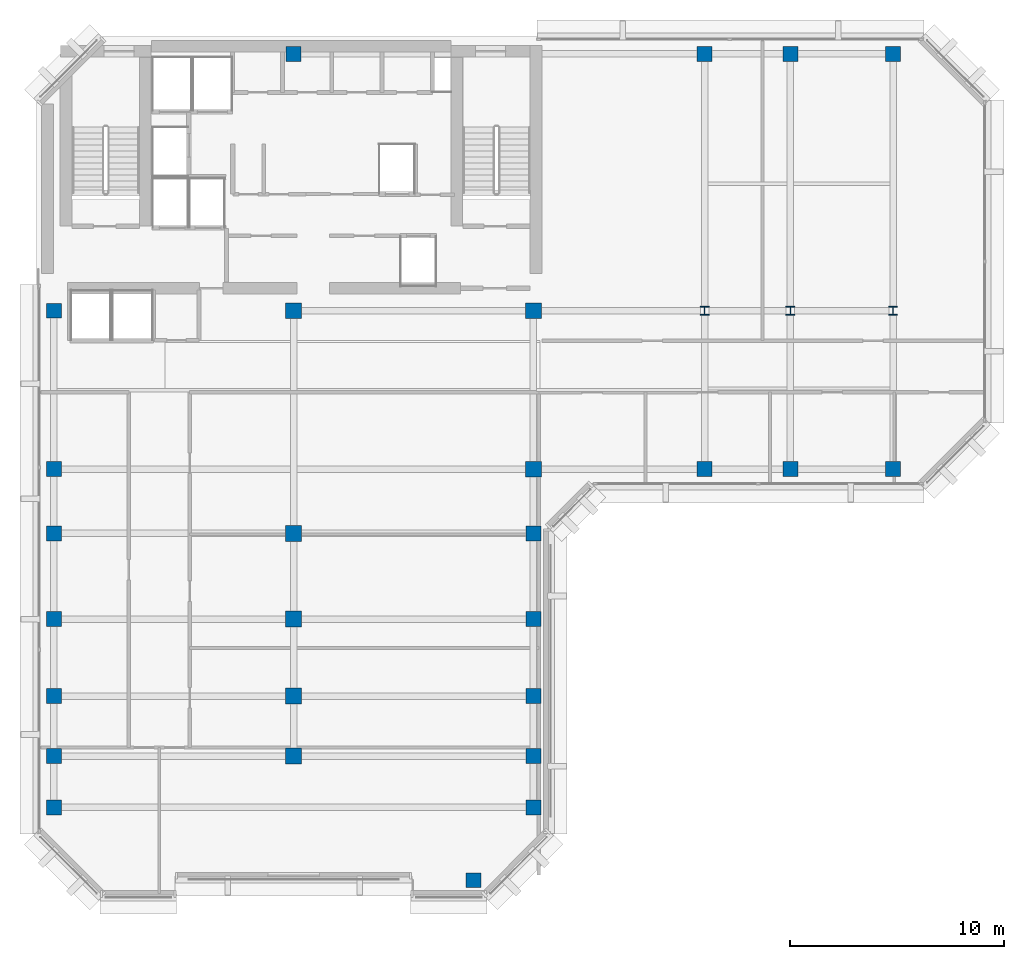
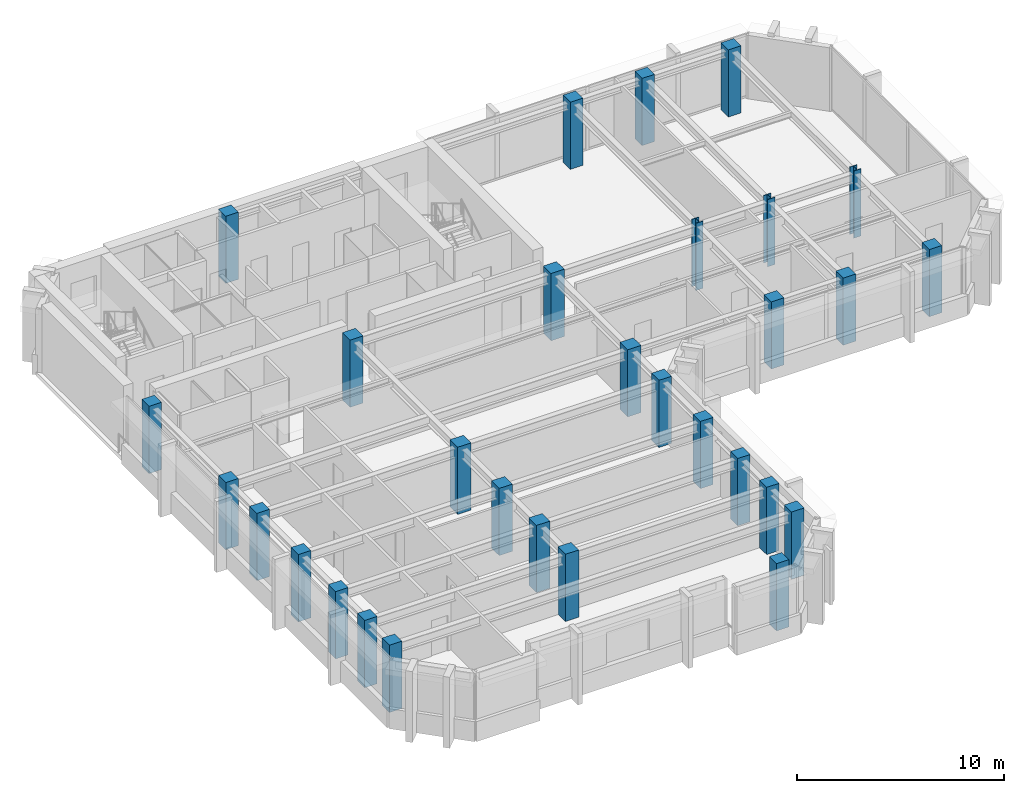
# One storey, part 1 of 12: 30 columns.
"""IFC4 building model written with IfcOpenShell, lengths in metres."""

from ifc_helpers import new_model, si_unit, direction, frame, origin, origin_2d, place, context, subcontext, project, spatial, rectangle, i_section, extrude, material, material_profile, profile_set, type_object, element, save


model = new_model("IFC4")

# Units and contexts
model_context = context("Model", 3, precision=1e-05, world=origin(), true_north=direction((0.0, 1.0)))
body_context = subcontext(model_context, "Body", "Model", "MODEL_VIEW")
ifc_project = project(units=[si_unit("LENGTHUNIT", "METRE"), si_unit("AREAUNIT", "SQUARE_METRE"), si_unit("VOLUMEUNIT", "CUBIC_METRE"), si_unit("PLANEANGLEUNIT", "RADIAN"), si_unit("MASSUNIT", "GRAM", prefix="KILO")], contexts=[model_context])

# Site, building, storey
site_placement = place(None, origin())
site = spatial("IfcSite", under=ifc_project, at=site_placement, CompositionType="ELEMENT")
building_placement = place(site_placement, origin())
building = spatial("IfcBuilding", under=site, at=building_placement, Name="Kefirva Bronze Tower", CompositionType="ELEMENT")
storey_placement = place(building_placement, frame((0.0, 0.0, 280.169921875)))
storey = spatial("IfcBuildingStorey", under=building, at=storey_placement, Name="L68", CompositionType="ELEMENT", Elevation=280.169921875)

# Columns
ifc_material_1 = material(Name="Concrete C50/60", Category="concrete")
ifc_material_profile_1 = material_profile(ifc_material_1, rectangle(XDim=0.699951171875, YDim=0.699951171875, at=origin_2d()), Name="RC 700x700")
ifc_profile_set_1 = profile_set([ifc_material_profile_1], Name="Concrete C50/60")
column_type_1 = type_object("IfcColumnType", Name="RC Column 700x700 Ext", PredefinedType="COLUMN", material=ifc_profile_set_1)
for number, where, z_axis, x_axis, name in (
    (1, (0.800048828125, 10.0, 0.0), (0.0, 0.0, 1.0), (1.0, 0.0, 0.0), "L68 Column C008_100"),
    (2, (0.800048828125, 12.39990234375, 0.0), (0.0, 0.0, 1.0), (1.0, 0.0, 0.0), "L68 Column C008_124"),
    (3, (0.800048828125, 15.199951171875, 0.0), (0.0, 0.0, 1.0), (1.0, 0.0, 0.0), "L68 Column C008_152"),
    (4, (0.800048828125, 18.800048828125, 0.0), (0.0, 0.0, 1.0), (1.0, 0.0, 0.0), "L68 Column C008_188"),
    (5, (0.800048828125, 22.800048828125, 0.0), (0.0, 0.0, 1.0), (1.0, 0.0, 0.0), "L68 Column C008_228"),
    (6, (0.800048828125, 25.800048828125, 0.0), (0.0, 0.0, 1.0), (1.0, 0.0, 0.0), "L68 Column C008_258"),
    (7, (0.800048828125, 33.199951171875, 0.0), (0.0, 0.0, 1.0), (1.0, 0.0, 0.0), "L68 Column C008_332"),
    (8, (12.0, 45.199951171875, 0.0), (0.0, 0.0, 1.0), (1.0, 0.0, 0.0), "L68 Column C120_452"),
    (9, (20.39990234375, 6.60009765625, 0.0), (0.0, 0.0, 1.0), (1.0, 0.0, 0.0), "L68 Column C204_066"),
    (10, (23.199951171875, 10.0, 0.0), (0.0, 0.0, 1.0), (1.0, 0.0, 0.0), "L68 Column C232_100"),
    (11, (23.199951171875, 12.39990234375, 0.0), (0.0, 0.0, 1.0), (1.0, 0.0, 0.0), "L68 Column C232_124"),
    (12, (23.199951171875, 15.199951171875, 0.0), (0.0, 0.0, 1.0), (1.0, 0.0, 0.0), "L68 Column C232_152"),
    (13, (23.199951171875, 18.800048828125, 0.0), (0.0, 0.0, 1.0), (1.0, 0.0, 0.0), "L68 Column C232_188"),
    (14, (23.199951171875, 22.800048828125, 0.0), (0.0, 0.0, 1.0), (1.0, 0.0, 0.0), "L68 Column C232_228"),
    (15, (31.199951171875, 25.800048828125, 0.0), (0.0, 0.0, 1.0), (1.0, 0.0, 0.0), "L68 Column C312_258"),
    (16, (31.199951171875, 45.199951171875, 0.0), (0.0, 0.0, 1.0), (1.0, 0.0, 0.0), "L68 Column C312_452"),
    (17, (35.199951171875, 25.800048828125, 0.0), (0.0, 0.0, 1.0), (1.0, 0.0, 0.0), "L68 Column C352_258"),
    (18, (35.199951171875, 45.199951171875, 0.0), (0.0, 0.0, 1.0), (1.0, 0.0, 0.0), "L68 Column C352_452"),
    (19, (40.0, 25.800048828125, 0.0), (0.0, 0.0, 1.0), (1.0, 0.0, 0.0), "L68 Column C400_258"),
    (20, (40.0, 45.199951171875, 0.0), (0.0, 0.0, 1.0), (1.0, 0.0, 0.0), "L68 Column C400_452"),
):
    element("IfcColumn", number, at=place(storey_placement, frame(where, z_axis=z_axis, x_axis=x_axis)), inside=storey, type_object=column_type_1, Name=name, PredefinedType="COLUMN", context=body_context, shape_type="SweptSolid", body=[
        extrude(rectangle(XDim=0.699951171875, YDim=0.699951171875, at=origin_2d()), origin(), (0.0, 0.0, 1.0), 3.9599609375),
    ])
ifc_material_profile_2 = material_profile(ifc_material_1, rectangle(XDim=0.739990234375, YDim=0.739990234375, at=origin_2d()), Name="RC 740x740")
ifc_profile_set_2 = profile_set([ifc_material_profile_2], Name="Concrete C50/60")
column_type_2 = type_object("IfcColumnType", Name="RC Column 740x740 Int", PredefinedType="COLUMN", material=ifc_profile_set_2)
for number, where, z_axis, x_axis, name in (
    (21, (12.0, 12.39990234375, 0.0), (0.0, 0.0, 1.0), (1.0, 0.0, 0.0), "L68 Column C120_124"),
    (22, (12.0, 15.199951171875, 0.0), (0.0, 0.0, 1.0), (1.0, 0.0, 0.0), "L68 Column C120_152"),
    (23, (12.0, 18.800048828125, 0.0), (0.0, 0.0, 1.0), (1.0, 0.0, 0.0), "L68 Column C120_188"),
    (24, (12.0, 22.800048828125, 0.0), (0.0, 0.0, 1.0), (1.0, 0.0, 0.0), "L68 Column C120_228"),
    (25, (12.0, 33.199951171875, 0.0), (0.0, 0.0, 1.0), (1.0, 0.0, 0.0), "L68 Column C120_332"),
    (26, (23.199951171875, 25.800048828125, 0.0), (0.0, 0.0, 1.0), (1.0, 0.0, 0.0), "L68 Column C232_258"),
    (27, (23.199951171875, 33.199951171875, 0.0), (0.0, 0.0, 1.0), (1.0, 0.0, 0.0), "L68 Column C232_332"),
):
    element("IfcColumn", number, at=place(storey_placement, frame(where, z_axis=z_axis, x_axis=x_axis)), inside=storey, type_object=column_type_2, Name=name, PredefinedType="COLUMN", context=body_context, shape_type="SweptSolid", body=[
        extrude(rectangle(XDim=0.739990234375, YDim=0.739990234375, at=origin_2d()), origin(), (0.0, 0.0, 1.0), 3.9599609375),
    ])
ifc_material_2 = material(Name="Steel S460", Category="steel")
ifc_material_profile_3 = material_profile(ifc_material_2, i_section(OverallWidth=0.406005859375, OverallDepth=0.416015625, WebThickness=0.02197265625, FlangeThickness=0.035888671875, at=origin_2d()), Name="HD 400x382")
ifc_profile_set_3 = profile_set([ifc_material_profile_3], Name="Steel S460")
column_type_3 = type_object("IfcColumnType", Name="Steel Column HD 400x382", PredefinedType="COLUMN", material=ifc_profile_set_3)
for number, where, z_axis, x_axis, name in (
    (28, (31.199951171875, 33.199951171875, 0.0), (0.0, 0.0, 1.0), (1.0, 0.0, 0.0), "L68 Column C312_332"),
    (29, (35.199951171875, 33.199951171875, 0.0), (0.0, 0.0, 1.0), (1.0, 0.0, 0.0), "L68 Column C352_332"),
    (30, (40.0, 33.199951171875, 0.0), (0.0, 0.0, 1.0), (1.0, 0.0, 0.0), "L68 Column C400_332"),
):
    element("IfcColumn", number, at=place(storey_placement, frame(where, z_axis=z_axis, x_axis=x_axis)), inside=storey, type_object=column_type_3, Name=name, PredefinedType="COLUMN", context=body_context, shape_type="SweptSolid", body=[
        extrude(i_section(OverallWidth=0.406005859375, OverallDepth=0.416015625, WebThickness=0.02197265625, FlangeThickness=0.035888671875, at=origin_2d()), origin(), (0.0, 0.0, 1.0), 3.9599609375),
    ])

save(model, "model.ifc")
